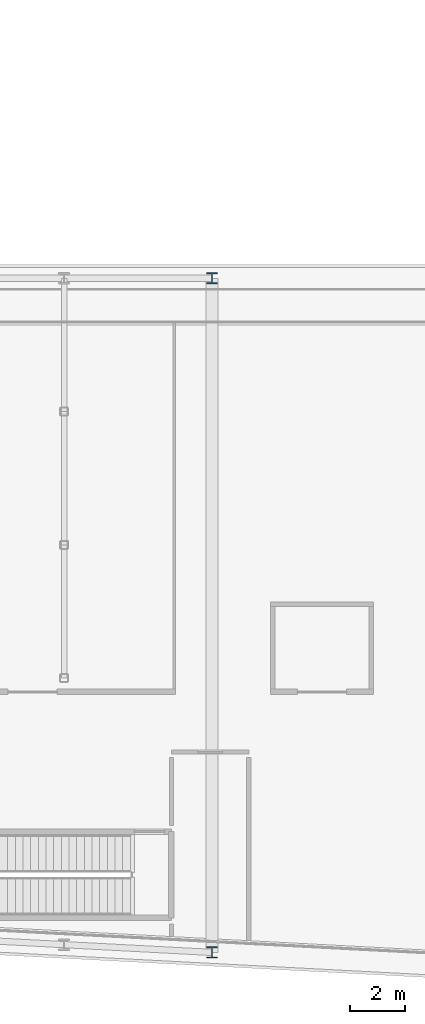
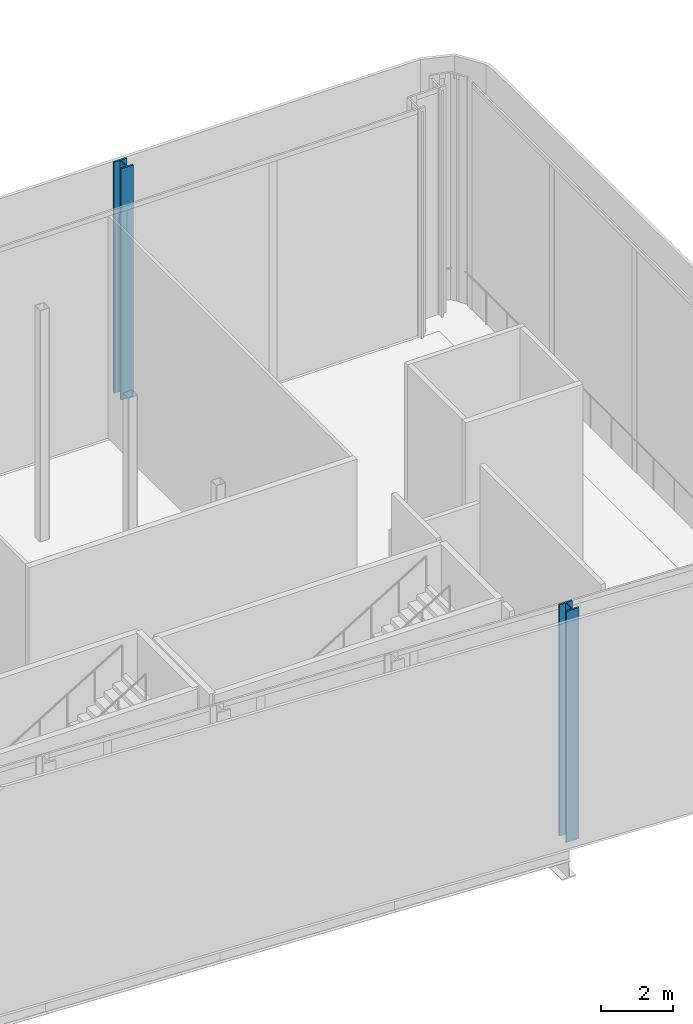
# One storey, part 4 of 37: 2 columns.
"""IFC4 building model written with IfcOpenShell, lengths in metres."""

from ifc_helpers import new_model, si_unit, direction, frame, origin, origin_2d, place, context, subcontext, project, spatial, i_section, extrude, material, material_profile, profile_set, type_object, element, save


model = new_model("IFC4")

# Units and contexts
model_context = context("Model", 3, precision=1e-05, world=origin(), true_north=direction((0.0, 1.0)))
body_context = subcontext(model_context, "Body", "Model", "MODEL_VIEW")
ifc_project = project(units=[si_unit("LENGTHUNIT", "METRE"), si_unit("AREAUNIT", "SQUARE_METRE"), si_unit("VOLUMEUNIT", "CUBIC_METRE"), si_unit("PLANEANGLEUNIT", "RADIAN"), si_unit("MASSUNIT", "GRAM", prefix="KILO")], contexts=[model_context])

# Site, building, storey
site_placement = place(None, origin())
site = spatial("IfcSite", under=ifc_project, at=site_placement, CompositionType="ELEMENT")
building_placement = place(site_placement, origin())
building = spatial("IfcBuilding", under=site, at=building_placement, Name="Kheshtan School and Residences Tower", CompositionType="ELEMENT")
storey_placement = place(building_placement, frame((0.0, 0.0, 144.800048828125)))
storey = spatial("IfcBuildingStorey", under=building, at=storey_placement, Name="L34", CompositionType="ELEMENT", Elevation=144.800048828125)

# Columns
ifc_material = material(Name="Steel ASTM A992 Grade 50", Category="steel")
ifc_material_profile = material_profile(ifc_material, i_section(OverallWidth=0.408935546875, OverallDepth=0.425048828125, WebThickness=0.03271484375, FlangeThickness=0.052490234375, FilletRadius=0.0126953125, at=origin_2d()), Name="W360x421")
ifc_profile_set = profile_set([ifc_material_profile], Name="Steel ASTM A992 Grade 50")
column_type = type_object("IfcColumnType", Name="Column C3 W360x421 ASTM A992 Grade 50", PredefinedType="COLUMN", material=ifc_profile_set)
for number, where, z_axis, x_axis, name in (
    (1, (90.800048828125, 20.989990234375, 0.0), (0.0, 0.0, 1.0), (1.0, 0.0, 0.0), "Column C006"),
    (2, (90.800048828125, 45.60009765625, 0.0), (0.0, 0.0, 1.0), (1.0, 0.0, 0.0), "Column C068"),
):
    element("IfcColumn", number, at=place(storey_placement, frame(where, z_axis=z_axis, x_axis=x_axis)), inside=storey, type_object=column_type, Name=name, PredefinedType="COLUMN", context=body_context, shape_type="SweptSolid", body=[
        extrude(i_section(OverallWidth=0.408935546875, OverallDepth=0.425048828125, WebThickness=0.03271484375, FlangeThickness=0.052490234375, FilletRadius=0.0126953125, at=origin_2d()), origin(), (0.0, 0.0, 1.0), 7.800048828125),
    ])

save(model, "model.ifc")
